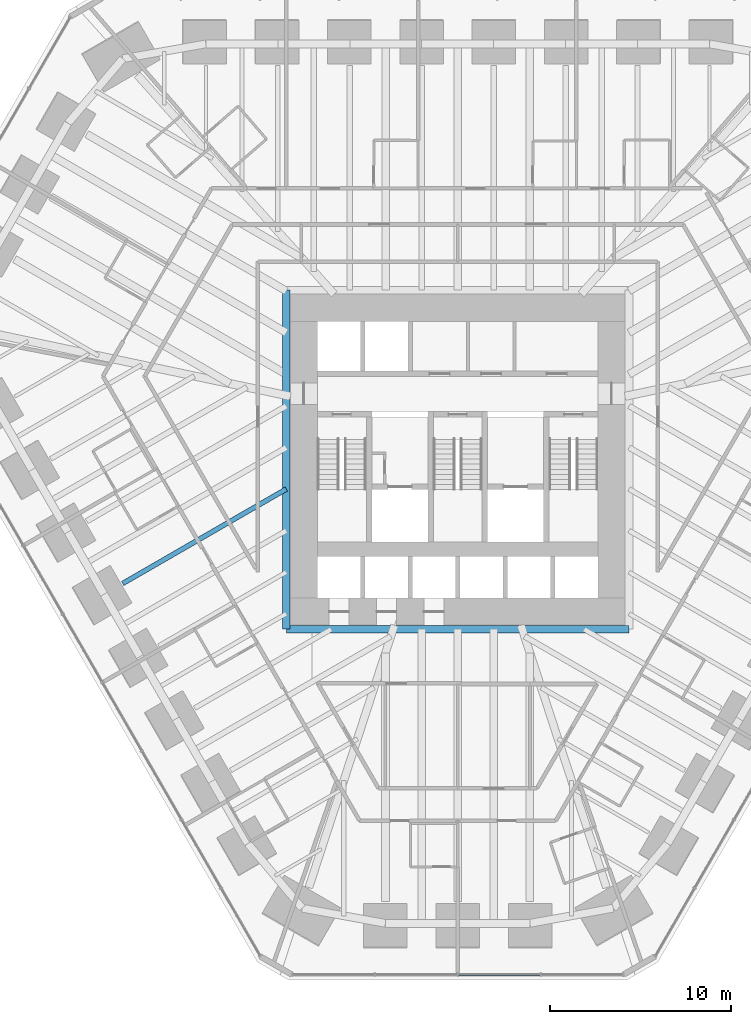
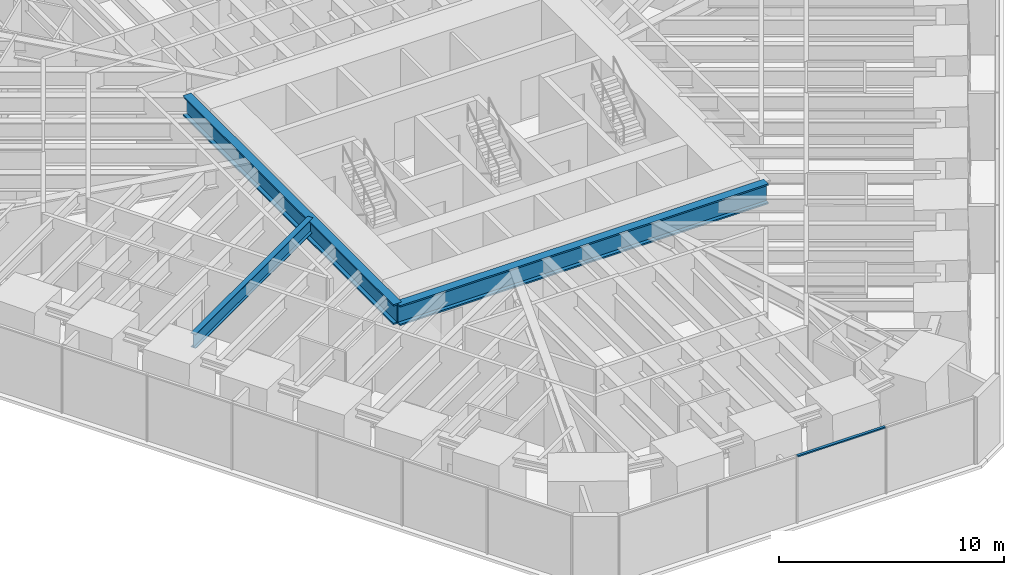
# One storey, part 4 of 17: 3 beams, 1 member, 1 element without a shape of its own.
"""IFC4 building model written with IfcOpenShell, lengths in metres."""

import ifcopenshell
import ifcopenshell.guid

model = None  # the IFC model being written
_history = None  # IfcOwnerHistory: only IFC2X3 demands one
_inside = {}  # id of a spatial element -> (the spatial element, [elements in it])
_under = {}  # id of a project, library or spatial element -> (it, [spatial elements below it])
_declared = {}  # id of a project -> (the project, [libraries it declares])
_typed = {}  # id of a type object -> (the type object, [elements of that type])
_made_of = {}  # id of a material, layer set ... -> (it, [elements and type objects made of it])


def new_model(schema):
    """Start an empty IFC model of exactly this schema.

    Asked for "IFC4X3", IfcOpenShell would pick the latest addendum, in which some entities
    have other attributes; the version numbers below select the first issue.
    IFC2X3 requires an IfcOwnerHistory on every rooted entity: one is made here for all.
    """
    global model, _history
    if schema == "IFC4X3":
        model = ifcopenshell.file(schema_version=(4, 3, 0, 0))
    else:
        model = ifcopenshell.file(schema=schema)
    _inside.clear()
    _under.clear()
    _declared.clear()
    _typed.clear()
    _made_of.clear()
    _history = None
    if model.schema == "IFC2X3":
        org = make("IfcOrganization", Name="unknown")
        user = make(
            "IfcPersonAndOrganization",
            ThePerson=make("IfcPerson", FamilyName="unknown"),
            TheOrganization=org,
        )
        app = make(
            "IfcApplication",
            ApplicationDeveloper=org,
            Version="unknown",
            ApplicationFullName="unknown",
            ApplicationIdentifier="unknown",
        )
        _history = make(
            "IfcOwnerHistory",
            OwningUser=user,
            OwningApplication=app,
            ChangeAction="ADDED",
            CreationDate=0,
        )
    return model


def make(cls, **values):
    """One entity of the class cls with the attributes given. An attribute that is None is left unset."""
    return model.create_entity(
        cls, **{name: value for name, value in values.items() if value is not None}
    )


def rooted(cls, **values):
    """An entity with a GlobalId (a new one), such as an element, a storey or a relation."""
    return make(cls, GlobalId=ifcopenshell.guid.new(), OwnerHistory=_history, **values)


def si_unit(unit_type, name, prefix=None):
    """IfcSIUnit, for example si_unit("LENGTHUNIT", "METRE", prefix="MILLI")."""
    return make("IfcSIUnit", UnitType=unit_type, Prefix=prefix, Name=name)


def assignment(units):
    """IfcUnitAssignment: the units of a project."""
    return None if units is None else make("IfcUnitAssignment", Units=units)


def point(xyz):
    """IfcCartesianPoint."""
    return None if xyz is None else make("IfcCartesianPoint", Coordinates=xyz)


def direction(xyz):
    """IfcDirection."""
    return None if xyz is None else make("IfcDirection", DirectionRatios=xyz)


def frame(location, z_axis=None, x_axis=None):
    """IfcAxis2Placement3D, a coordinate frame: its origin and axes. An axis left out is left unset."""
    return make(
        "IfcAxis2Placement3D",
        Location=point(location),
        Axis=direction(z_axis),
        RefDirection=direction(x_axis),
    )


def frame_2d(location, x_axis=None):
    """IfcAxis2Placement2D, a coordinate frame in the plane: its origin and x axis."""
    return make(
        "IfcAxis2Placement2D", Location=point(location), RefDirection=direction(x_axis)
    )


def origin():
    """The frame at (0, 0, 0) with its axes left unset."""
    return frame((0.0, 0.0, 0.0))


def origin_2d():
    """The frame at (0, 0) in the plane with its x axis left unset."""
    return frame_2d((0.0, 0.0))


def place(relative_to, where):
    """IfcLocalPlacement: puts the frame where relative to a parent placement (None: the world)."""
    return make(
        "IfcLocalPlacement", PlacementRelTo=relative_to, RelativePlacement=where
    )


def context(
    kind, dimensions, precision=None, world=None, true_north=None, identifier=None
):
    """IfcGeometricRepresentationContext, for example the 3D "Model" context."""
    return make(
        "IfcGeometricRepresentationContext",
        ContextIdentifier=identifier,
        ContextType=kind,
        CoordinateSpaceDimension=dimensions,
        Precision=precision,
        WorldCoordinateSystem=world,
        TrueNorth=true_north,
    )


def subcontext(parent, identifier, kind, view, scale=None):
    """IfcGeometricRepresentationSubContext, for example "Body" below "Model"."""
    return make(
        "IfcGeometricRepresentationSubContext",
        ContextIdentifier=identifier,
        ContextType=kind,
        ParentContext=parent,
        TargetScale=scale,
        TargetView=view,
    )


def project(units=None, contexts=None):
    """IfcProject with its units and contexts."""
    return rooted(
        "IfcProject",
        Name="project",
        RepresentationContexts=contexts,
        UnitsInContext=assignment(units),
    )


def spatial(cls, under=None, at=None, **own):
    """A site, building, storey or space (cls), placed at a placement, below another one or the project."""
    s = rooted(cls, ObjectPlacement=at, **own)
    if under is not None:
        _under.setdefault(under.id(), (under, []))[1].append(s)
    return s


def profile(cls, at=None, kind="AREA", **sizes):
    """A parametric profile (cls). Its sizes go by their IFC names, for example OverallWidth=200.0."""
    return make(cls, ProfileType=kind, Position=at, **sizes)


def rectangle(**sizes):
    """IfcRectangleProfileDef."""
    return profile("IfcRectangleProfileDef", **sizes)


def i_section(**sizes):
    """IfcIShapeProfileDef."""
    return profile("IfcIShapeProfileDef", **sizes)


def extrude(swept, where, along, depth):
    """IfcExtrudedAreaSolid: the profile swept, set in the frame where, extruded along a direction by depth."""
    return make(
        "IfcExtrudedAreaSolid",
        SweptArea=swept,
        Position=where,
        ExtrudedDirection=direction(along),
        Depth=depth,
    )


def shape(context_of_items, identifier, shape_type, items):
    """IfcShapeRepresentation: the items that make up one representation, for example the "Body"."""
    return make(
        "IfcShapeRepresentation",
        ContextOfItems=context_of_items,
        RepresentationIdentifier=identifier,
        RepresentationType=shape_type,
        Items=items,
    )


def material(Name=None, Category=None):
    """IfcMaterial."""
    return make("IfcMaterial", Name=Name, Category=Category)


def material_profile(
    of_material, cross_section, Name=None, Category=None, Priority=None
):
    """IfcMaterialProfile: a cross section and its material."""
    return make(
        "IfcMaterialProfile",
        Name=Name,
        Material=of_material,
        Profile=cross_section,
        Priority=Priority,
        Category=Category,
    )


def profile_set(profiles, Name=None, composite=None):
    """IfcMaterialProfileSet."""
    return make(
        "IfcMaterialProfileSet",
        Name=Name,
        MaterialProfiles=profiles,
        CompositeProfile=composite,
    )


def made_of(thing, what):
    """Note that an element or type object is made of a material, layer set ...; save() writes the relation."""
    if what is not None:
        _made_of.setdefault(what.id(), (what, []))[1].append(thing)
    return thing


def type_object(cls, material=None, **own):
    """A type object (cls), such as IfcWallType, which elements share."""
    return made_of(rooted(cls, **own), material)


def element(
    cls,
    number,
    at=None,
    inside=None,
    cuts=None,
    type_object=None,
    material=None,
    context=None,
    identifier="Body",
    shape_type=None,
    held_by="IfcProductDefinitionShape",
    body=None,
    shapes=None,
    **own,
):
    """One element of the class cls, such as IfcWall. Its Tag is "e" and its number.

    at: its placement. inside: the storey or other place that contains it. cuts: it is an
    opening in that element (IfcRelVoidsElement). A single representation is given by context,
    identifier, shape_type and body (its items); several are given by shapes. held_by: the class
    of the entity that holds the representations. save() writes the other relations.
    """
    e = rooted(cls, Tag="e%d" % number, ObjectPlacement=at, **own)
    if body is not None:
        shapes = [shape(context, identifier, shape_type, body)]
    if shapes is not None:
        e.Representation = make(held_by, Representations=shapes)
    if inside is not None:
        _inside.setdefault(inside.id(), (inside, []))[1].append(e)
    if cuts is not None:
        rooted(
            "IfcRelVoidsElement", RelatingBuildingElement=cuts, RelatedOpeningElement=e
        )
    if type_object is not None:
        _typed.setdefault(type_object.id(), (type_object, []))[1].append(e)
    return made_of(e, material)


def aggregate(whole, parts):
    """IfcRelAggregates: a whole, such as a stair, and the parts it consists of."""
    return rooted("IfcRelAggregates", RelatingObject=whole, RelatedObjects=parts)


def save(model, path):
    """Write the relations noted so far, then the file.

    IfcRelAggregates (storeys below a building ...), IfcRelContainedInSpatialStructure (elements
    in a storey), IfcRelDefinesByType, IfcRelAssociatesMaterial and IfcRelDeclares: one each for
    every whole, place, type object, material and project.
    """
    for whole, parts in _under.values():
        aggregate(whole, parts)
    for where, things in _inside.values():
        rooted(
            "IfcRelContainedInSpatialStructure",
            RelatedElements=things,
            RelatingStructure=where,
        )
    for kind, things in _typed.values():
        rooted("IfcRelDefinesByType", RelatedObjects=things, RelatingType=kind)
    for what, things in _made_of.values():
        rooted("IfcRelAssociatesMaterial", RelatedObjects=things, RelatingMaterial=what)
    for by, libraries in _declared.values():
        rooted("IfcRelDeclares", RelatingContext=by, RelatedDefinitions=libraries)
    model.write(path)


model = new_model("IFC4")

# Units and contexts
model_context = context("Model", 3, precision=1e-05, world=origin(), true_north=direction((0.0, 1.0)))
body_context = subcontext(model_context, "Body", "Model", "MODEL_VIEW")
ifc_project = project(units=[si_unit("LENGTHUNIT", "METRE"), si_unit("AREAUNIT", "SQUARE_METRE"), si_unit("VOLUMEUNIT", "CUBIC_METRE"), si_unit("PLANEANGLEUNIT", "RADIAN"), si_unit("MASSUNIT", "GRAM", prefix="KILO")], contexts=[model_context])

# Site, building, storey
site_placement = place(None, origin())
site = spatial("IfcSite", under=ifc_project, at=site_placement, CompositionType="ELEMENT")
building_placement = place(site_placement, origin())
building = spatial("IfcBuilding", under=site, at=building_placement, Name="Sandreach Pilgrim Tower", CompositionType="ELEMENT")
storey_placement = place(building_placement, frame((0.0, 0.0, 87.60009765625)))
storey = spatial("IfcBuildingStorey", under=building, at=storey_placement, Name="L21", CompositionType="ELEMENT", Elevation=87.60009765625)

# Curtain wall, member
ifc_material_1 = material(Name="Aluminium framed curtain wall", Category="aluminium")
curtain_wall_type = type_object("IfcCurtainWallType", Name="Hostel tower curtain wall", PredefinedType="NOTDEFINED", material=ifc_material_1)
curtain_wall_placement = place(storey_placement, origin())
curtain_wall = element("IfcCurtainWall", 1, at=curtain_wall_placement, inside=storey, type_object=curtain_wall_type, Name="CW-1 L21 S", PredefinedType="NOTDEFINED")
ifc_material_2 = material(Name="Aluminium extrusion", Category="aluminium")
ifc_material_profile_1 = material_profile(ifc_material_2, rectangle(XDim=0.139892578125, YDim=0.070068359375, at=origin_2d()), Name="CW-1T 140X70")
ifc_profile_set_1 = profile_set([ifc_material_profile_1], Name="Aluminium extrusion")
member_type = type_object("IfcMemberType", Name="CW-1 transom", PredefinedType="USERDEFINED", material=ifc_profile_set_1)
member_placement = place(storey_placement, frame((4.553466796875, -30.010986328125, 3.60498046875), z_axis=(-1.0, 0.0, 0.0), x_axis=(0.0, -1.0, 0.0)))
member = element("IfcMember", 2, at=member_placement, type_object=member_type, Name="CW-1 head transom 2", ObjectType="TRANSOM", PredefinedType="USERDEFINED", context=body_context, shape_type="SweptSolid", body=[
    extrude(rectangle(XDim=0.139892578125, YDim=0.070068359375, at=origin_2d()), origin(), (0.0, 0.0, 1.0), 4.52099609375),
])
aggregate(curtain_wall, [member])

# Beams
ifc_material_3 = material(Name="Steel ASTM A992 Grade 50", Category="steel")
ifc_material_profile_2 = material_profile(ifc_material_3, i_section(OverallWidth=0.424072265625, OverallDepth=1.09228515625, WebThickness=0.04541015625, FlangeThickness=0.08203125, at=origin_2d()), Name="W40X593")
ifc_profile_set_2 = profile_set([ifc_material_profile_2], Name="Steel ASTM A992 Grade 50")
beam_type_1 = type_object("IfcBeamType", Name="Core edge beam W40X593", PredefinedType="BEAM", material=ifc_profile_set_2)
beam_1_placement = place(storey_placement, frame((9.47216796875, -10.922119140625, 3.09375), z_axis=(-1.0, 0.0, 0.0), x_axis=(0.0, -1.0, 0.0)))
element("IfcBeam", 3, at=beam_1_placement, inside=storey, type_object=beam_type_1, Name="BM L21 CES", PredefinedType="BEAM", context=body_context, shape_type="SweptSolid", body=[
    extrude(i_section(OverallWidth=0.424072265625, OverallDepth=1.09228515625, WebThickness=0.04541015625, FlangeThickness=0.08203125, at=origin_2d()), origin(), (0.0, 0.0, 1.0), 18.9443359375),
])
beam_2_placement = place(storey_placement, frame((-9.47216796875, -10.922119140625, 3.09375), z_axis=(0.0, 1.0, 0.0), x_axis=(-1.0, 0.0, 0.0)))
element("IfcBeam", 4, at=beam_2_placement, inside=storey, type_object=beam_type_1, Name="BM L21 CEW", PredefinedType="BEAM", context=body_context, shape_type="SweptSolid", body=[
    extrude(i_section(OverallWidth=0.424072265625, OverallDepth=1.09228515625, WebThickness=0.04541015625, FlangeThickness=0.08203125, at=origin_2d()), origin(), (0.0, 0.0, 1.0), 18.744140625),
])
ifc_material_4 = material(Name="Steel ASTM A992 Grade 50", Category="steel")
ifc_material_profile_3 = material_profile(ifc_material_4, i_section(OverallWidth=0.2666015625, OverallDepth=0.77978515625, WebThickness=0.0166015625, FlangeThickness=0.030029296875, at=origin_2d()), Name="W30X148")
ifc_profile_set_3 = profile_set([ifc_material_profile_3], Name="Steel ASTM A992 Grade 50")
beam_type_2 = type_object("IfcBeamType", Name="Floor beam W30X148", PredefinedType="BEAM", material=ifc_profile_set_3)
beam_3_placement = place(storey_placement, frame((-18.515869140625, -8.39404296875, 3.25), z_axis=(0.866023237599, 0.500003751924, 0.0), x_axis=(-0.500003751924, 0.866023237599, 0.0)))
element("IfcBeam", 5, at=beam_3_placement, inside=storey, type_object=beam_type_2, Name="BM L21 F31", PredefinedType="BEAM", context=body_context, shape_type="SweptSolid", body=[
    extrude(i_section(OverallWidth=0.2666015625, OverallDepth=0.77978515625, WebThickness=0.0166015625, FlangeThickness=0.030029296875, at=origin_2d()), origin(), (0.0, 0.0, 1.0), 10.44287109375),
])

save(model, "model.ifc")
